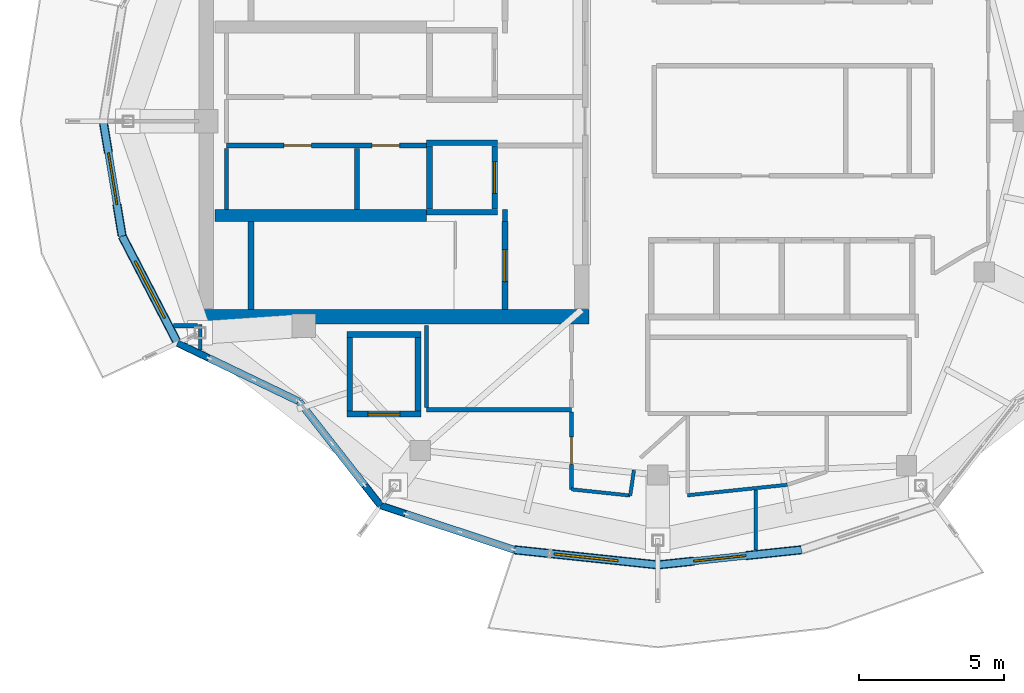
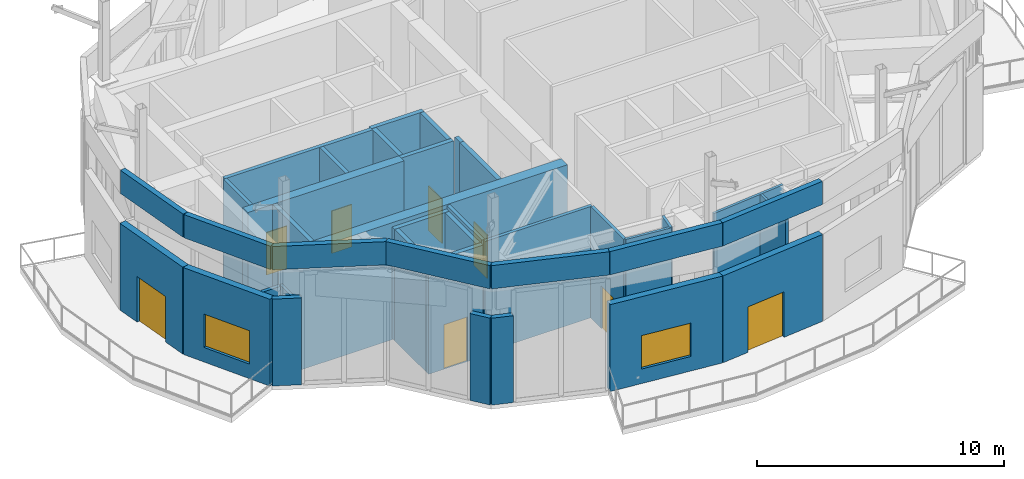
# One storey, part 8 of 13: 39 walls, 8 doors, 2 windows, 10 openings.
"""IFC4 building model written with IfcOpenShell, lengths in metres."""

from ifc_helpers import new_model, si_unit, direction, frame, frame_2d, origin, place, context, subcontext, project, spatial, rectangle, extrude, material, layer, layer_set, type_object, element, fill, save


model = new_model("IFC4")

# Units and contexts
model_context = context("Model", 3, precision=1e-05, world=origin(), true_north=direction((0.0, 1.0)))
body_context = subcontext(model_context, "Body", "Model", "MODEL_VIEW")
ifc_project = project(units=[si_unit("LENGTHUNIT", "METRE"), si_unit("AREAUNIT", "SQUARE_METRE"), si_unit("VOLUMEUNIT", "CUBIC_METRE"), si_unit("PLANEANGLEUNIT", "RADIAN"), si_unit("MASSUNIT", "GRAM", prefix="KILO")], contexts=[model_context])

# Site, building, storey
site_placement = place(None, origin())
site = spatial("IfcSite", under=ifc_project, at=site_placement, CompositionType="ELEMENT")
building_placement = place(site_placement, origin())
building = spatial("IfcBuilding", under=site, at=building_placement, Name="Kolvaren Gate Tower and Convention Centre", CompositionType="ELEMENT")
storey_placement = place(building_placement, frame((0.0, 0.0, 281.60009765625)))
storey = spatial("IfcBuildingStorey", under=building, at=storey_placement, Name="L76", CompositionType="ELEMENT", Elevation=281.60009765625)

# Wall
ifc_material_1 = material(Name="Autoclaved Aerated Masonry Blockwork Class 4 (4.0 MPa)", Category="masonry")
ifc_layer_1 = layer(ifc_material_1, 0.179931640625)
ifc_layer_set_1 = layer_set([ifc_layer_1], Name="Autoclaved Aerated Masonry Blockwork Class 4 (4.0 MPa)")
wall_type_1 = type_object("IfcWallType", Name="ARCH-WL-COMP-180", PredefinedType="SOLIDWALL", material=ifc_layer_set_1)
wall_1_placement = place(storey_placement, frame((24.85009765625, 23.5400390625, 0.0), z_axis=(0.0, 0.0, 1.0), x_axis=(0.0, 1.0, 0.0)))
element("IfcWall", 1, at=wall_1_placement, inside=storey, type_object=wall_type_1, Name="Interior Partition WL-L76-INT-001", PredefinedType="SOLIDWALL", context=body_context, shape_type="SweptSolid", body=[
    extrude(rectangle(XDim=0.419921875, YDim=0.179931640625, at=frame_2d((0.2099609375, 0.0))), origin(), (0.0, 0.0, 1.0), 5.5),
])

# Wall, openings, doors
wall_2_placement = place(storey_placement, frame((15.25, 26.159912109375, 0.0), z_axis=(0.0, 0.0, 1.0), x_axis=(1.0, 0.0, 0.0)))
wall_2 = element("IfcWall", 2, at=wall_2_placement, inside=storey, type_object=wall_type_1, Name="Interior Partition WL-L76-INT-005", PredefinedType="SOLIDWALL", context=body_context, shape_type="SweptSolid", body=[
    extrude(rectangle(XDim=6.89990234375, YDim=0.179931640625, at=frame_2d((3.449951171875, 0.0))), origin(), (0.0, 0.0, 1.0), 5.5),
])
opening_1_placement = place(wall_2_placement, frame((5.02001953125, 0.0, 0.0)))
opening_1 = element("IfcOpeningElement", 3, at=opening_1_placement, cuts=wall_2, Name="Opening DR-01", PredefinedType="OPENING", context=body_context, shape_type="SweptSolid", body=[
    extrude(rectangle(XDim=0.949951171875, YDim=2.10009765625, at=frame_2d((0.47509765625, 1.050048828125))), frame((0.0, 0.099853515625, 0.0), z_axis=(0.0, -1.0, 0.0), x_axis=(1.0, 0.0, 0.0)), (0.0, 0.0, 1.0), 0.199951171875),
])
opening_2_placement = place(wall_2_placement, frame((1.97998046875, 0.0, 0.0)))
opening_2 = element("IfcOpeningElement", 4, at=opening_2_placement, cuts=wall_2, Name="Opening DR-01", PredefinedType="OPENING", context=body_context, shape_type="SweptSolid", body=[
    extrude(rectangle(XDim=0.949951171875, YDim=2.10009765625, at=frame_2d((0.47509765625, 1.050048828125))), frame((0.0, 0.099853515625, 0.0), z_axis=(0.0, -1.0, 0.0), x_axis=(1.0, 0.0, 0.0)), (0.0, 0.0, 1.0), 0.199951171875),
])
ifc_material_2 = material(Name="Painted Architectural Steelwork ASTM A500 Grade C 345 MPa", Category="steel")
door_type_1 = type_object("IfcDoorType", Name="ARCH-DR-RISER-950", OperationType="SINGLE_SWING_RIGHT", PredefinedType="DOOR", material=ifc_material_2)
door_1_placement = place(opening_1_placement, origin())
door_1 = element("IfcDoor", 5, at=door_1_placement, inside=storey, type_object=door_type_1, Name="Domestic Water Meter Closet Door", OperationType="SINGLE_SWING_LEFT", OverallHeight=2.10009765625, OverallWidth=0.949951171875, PredefinedType="DOOR", context=body_context, shape_type="SweptSolid", body=[
    extrude(rectangle(XDim=0.949951171875, YDim=2.10009765625, at=frame_2d((0.47509765625, 1.050048828125))), frame((0.0, 0.02490234375, 0.0), z_axis=(0.0, -1.0, 0.0), x_axis=(1.0, 0.0, 0.0)), (0.0, 0.0, 1.0), 0.050048828125),
])
fill(opening_1, door_1)
door_2_placement = place(opening_2_placement, origin())
door_2 = element("IfcDoor", 6, at=door_2_placement, inside=storey, type_object=door_type_1, Name="Janitor Equipment Store Door", OperationType="SINGLE_SWING_LEFT", OverallHeight=2.10009765625, OverallWidth=0.949951171875, PredefinedType="DOOR", context=body_context, shape_type="SweptSolid", body=[
    extrude(rectangle(XDim=0.949951171875, YDim=2.10009765625, at=frame_2d((0.47509765625, 1.050048828125))), frame((0.0, 0.02490234375, 0.0), z_axis=(0.0, -1.0, 0.0), x_axis=(1.0, 0.0, 0.0)), (0.0, 0.0, 1.0), 0.050048828125),
])
fill(opening_2, door_2)

# Walls
wall_3_placement = place(storey_placement, frame((19.75, 23.9619140625, 0.0), z_axis=(0.0, 0.0, 1.0), x_axis=(0.0, 1.0, 0.0)))
element("IfcWall", 7, at=wall_3_placement, inside=storey, type_object=wall_type_1, Name="Interior Partition WL-L76-INT-007", PredefinedType="SOLIDWALL", context=body_context, shape_type="SweptSolid", body=[
    extrude(rectangle(XDim=2.106201171875, YDim=0.179931640625, at=frame_2d((1.05322265625, 0.0))), origin(), (0.0, 0.0, 1.0), 5.5),
])
ifc_material_3 = material(Name="Piedmont Cream Honed Limestone Cladding", Category="masonry")
ifc_layer_2 = layer(ifc_material_3, 0.25)
ifc_layer_set_2 = layer_set([ifc_layer_2], Name="Piedmont Cream Honed Limestone Cladding")
wall_type_2 = type_object("IfcWallType", Name="ARCH-WL-PARAPET-250", PredefinedType="PARAPET", material=ifc_layer_set_2)
wall_4_placement = place(storey_placement, frame((11.0, 27.0, 5.75), z_axis=(0.0, 0.0, 1.0), x_axis=(0.162366447696, -0.9867305289, 0.0)))
element("IfcWall", 8, at=wall_4_placement, inside=storey, type_object=wall_type_2, Name="Observation Roof Core-Cap Stone Parapet CPW-13", PredefinedType="PARAPET", context=body_context, shape_type="SweptSolid", body=[
    extrude(rectangle(XDim=4.01318359375, YDim=0.25, at=frame_2d((2.006591796875, 0.0))), origin(), (0.0, 0.0, 1.0), 1.14990234375),
])
wall_5_placement = place(storey_placement, frame((11.651611328125, 23.0400390625, 5.75), z_axis=(0.0, 0.0, 1.0), x_axis=(0.459812881143, -0.888015830002, 0.0)))
element("IfcWall", 9, at=wall_5_placement, inside=storey, type_object=wall_type_2, Name="Observation Roof Core-Cap Stone Parapet CPW-14", PredefinedType="PARAPET", context=body_context, shape_type="SweptSolid", body=[
    extrude(rectangle(XDim=4.1552734375, YDim=0.25, at=frame_2d((2.07763671875, 0.0))), origin(), (0.0, 0.0, 1.0), 1.14990234375),
])
wall_6_placement = place(storey_placement, frame((13.562255859375, 19.35009765625, 5.75), z_axis=(0.0, 0.0, 1.0), x_axis=(0.901348560632, -0.433094414933, 0.0)))
element("IfcWall", 10, at=wall_6_placement, inside=storey, type_object=wall_type_2, Name="Observation Roof Core-Cap Stone Parapet CPW-15", PredefinedType="PARAPET", context=body_context, shape_type="SweptSolid", body=[
    extrude(rectangle(XDim=4.65234375, YDim=0.25, at=frame_2d((2.326171875, 0.0))), origin(), (0.0, 0.0, 1.0), 1.14990234375),
])
wall_7_placement = place(storey_placement, frame((17.755615234375, 17.335205078125, 5.75), z_axis=(0.0, 0.0, 1.0), x_axis=(0.616428247224, -0.78741108452, 0.0)))
element("IfcWall", 11, at=wall_7_placement, inside=storey, type_object=wall_type_2, Name="Observation Roof Core-Cap Stone Parapet CPW-16", PredefinedType="PARAPET", context=body_context, shape_type="SweptSolid", body=[
    extrude(rectangle(XDim=4.553466796875, YDim=0.25, at=frame_2d((2.27685546875, 0.0))), origin(), (0.0, 0.0, 1.0), 1.14990234375),
])
wall_8_placement = place(storey_placement, frame((20.5625, 13.749755859375, 5.75), z_axis=(0.0, 0.0, 1.0), x_axis=(0.949234518432, -0.314569275388, 0.0)))
element("IfcWall", 12, at=wall_8_placement, inside=storey, type_object=wall_type_2, Name="Observation Roof Core-Cap Stone Parapet CPW-17", PredefinedType="PARAPET", context=body_context, shape_type="SweptSolid", body=[
    extrude(rectangle(XDim=4.859130859375, YDim=0.25, at=frame_2d((2.4296875, 0.0))), origin(), (0.0, 0.0, 1.0), 1.14990234375),
])
for number, where, z_axis, x_axis, name in (
    (13, (25.175048828125, 12.22119140625, 5.75), (0.0, 0.0, 1.0), (0.994501420626, -0.104723084243, 0.0), "Observation Roof Core-Cap Stone Parapet CPW-18"),
    (14, (30.125, 11.699951171875, 5.75), (0.0, 0.0, 1.0), (0.994501420626, 0.104723084243, 0.0), "Observation Roof Core-Cap Stone Parapet CPW-19"),
):
    element("IfcWall", number, at=place(storey_placement, frame(where, z_axis=z_axis, x_axis=x_axis)), inside=storey, type_object=wall_type_2, Name=name, PredefinedType="PARAPET", context=body_context, shape_type="SweptSolid", body=[
        extrude(rectangle(XDim=4.977294921875, YDim=0.25, at=frame_2d((2.48876953125, 0.0))), origin(), (0.0, 0.0, 1.0), 1.14990234375),
    ])
ifc_material_4 = material(Name="Fire-Rated Acoustic Gypsum Stud Partition", Category="gypsum")
ifc_layer_3 = layer(ifc_material_4, 0.1201171875)
ifc_layer_set_3 = layer_set([ifc_layer_3], Name="Fire-Rated Acoustic Gypsum Stud Partition")
wall_type_3 = type_object("IfcWallType", Name="ARCH-WL-PART-120", PredefinedType="PARTITIONING", material=ifc_layer_set_3)
wall_9_placement = place(storey_placement, frame((31.14990234375, 14.10107421875, 0.0), z_axis=(0.0, 0.0, 1.0), x_axis=(0.994517817825, 0.104567251225, 0.0)))
element("IfcWall", 15, at=wall_9_placement, inside=storey, type_object=wall_type_3, Name="Interior Partition WL-L76-INT-049", PredefinedType="PARTITIONING", context=body_context, shape_type="SweptSolid", body=[
    extrude(rectangle(XDim=3.460205078125, YDim=0.1201171875, at=frame_2d((1.72998046875, 0.0))), origin(), (0.0, 0.0, 1.0), 5.5),
])
wall_10_placement = place(storey_placement, frame((29.172119140625, 14.093017578125, 0.0), z_axis=(0.0, 0.0, 1.0), x_axis=(0.146387891488, 0.989227266722, 0.0)))
element("IfcWall", 16, at=wall_10_placement, inside=storey, type_object=wall_type_3, Name="Interior Partition WL-L76-INT-052", PredefinedType="PARTITIONING", context=body_context, shape_type="SweptSolid", body=[
    extrude(rectangle(XDim=0.880615234375, YDim=0.1201171875, at=frame_2d((0.4404296875, 0.0))), origin(), (0.0, 0.0, 1.0), 5.5),
])
wall_11_placement = place(storey_placement, frame((27.14990234375, 14.305908203125, 0.0), z_axis=(0.0, 0.0, 1.0), x_axis=(0.994504137054, -0.1046972845, 0.0)))
element("IfcWall", 17, at=wall_11_placement, inside=storey, type_object=wall_type_3, Name="Interior Partition WL-L76-INT-053", PredefinedType="PARTITIONING", context=body_context, shape_type="SweptSolid", body=[
    extrude(rectangle(XDim=2.033447265625, YDim=0.1201171875, at=frame_2d((1.0166015625, 0.0))), origin(), (0.0, 0.0, 1.0), 5.5),
])
wall_12_placement = place(storey_placement, frame((33.5, 12.208251953125, 0.0), z_axis=(0.0, 0.0, 1.0), x_axis=(0.0, 1.0, 0.0)))
element("IfcWall", 18, at=wall_12_placement, inside=storey, type_object=wall_type_3, Name="Interior Partition WL-L76-INT-054", PredefinedType="PARTITIONING", context=body_context, shape_type="SweptSolid", body=[
    extrude(rectangle(XDim=2.07763671875, YDim=0.1201171875, at=frame_2d((1.038818359375, 0.0))), origin(), (0.0, 0.0, 1.0), 5.5),
])
wall_13_placement = place(storey_placement, frame((14.35009765625, 19.1123046875, 0.0), z_axis=(0.0, 0.0, 1.0), x_axis=(0.0, 1.0, 0.0)))
element("IfcWall", 19, at=wall_13_placement, inside=storey, type_object=wall_type_3, Name="Interior Partition WL-L76-INT-058", PredefinedType="PARTITIONING", context=body_context, shape_type="SweptSolid", body=[
    extrude(rectangle(XDim=0.8857421875, YDim=0.1201171875, at=frame_2d((0.44287109375, 0.0))), origin(), (0.0, 0.0, 1.0), 4.2919921875),
])
ifc_material_5 = material(Name="Bogota Sabana Bush-Hammered Sandstone Cladding", Category="masonry")
ifc_layer_4 = layer(ifc_material_5, 0.219970703125)
ifc_layer_set_4 = layer_set([ifc_layer_4], Name="Bogota Sabana Bush-Hammered Sandstone Cladding")
wall_type_4 = type_object("IfcWallType", Name="ARCH-WL-PIER-220", PredefinedType="SOLIDWALL", material=ifc_layer_set_4)
wall_14_placement = place(storey_placement, frame((13.562255859375, 19.35009765625, 0.0), z_axis=(0.0, 0.0, 1.0), x_axis=(0.901264843027, -0.433268603437, 0.0)))
element("IfcWall", 20, at=wall_14_placement, inside=storey, type_object=wall_type_4, Name="L76 Panoramic Structural Curtain Wall CW-14 Left Column Pier Wrap", PredefinedType="SOLIDWALL", context=body_context, shape_type="SweptSolid", body=[
    extrude(rectangle(XDim=1.18115234375, YDim=0.219970703125, at=frame_2d((0.590576171875, 0.0))), origin(), (0.0, 0.0, 1.0), 4.2919921875),
])
wall_15_placement = place(storey_placement, frame((20.022216796875, 14.43994140625, 0.0), z_axis=(0.0, 0.0, 1.0), x_axis=(0.61640589237, -0.787428584604, 0.0)))
element("IfcWall", 21, at=wall_15_placement, inside=storey, type_object=wall_type_4, Name="L76 Panoramic Structural Curtain Wall CW-15 Right Column Pier Wrap", PredefinedType="SOLIDWALL", context=body_context, shape_type="SweptSolid", body=[
    extrude(rectangle(XDim=0.87646484375, YDim=0.219970703125, at=frame_2d((0.438232421875, 0.0))), origin(), (0.0, 0.0, 1.0), 4.2919921875),
])
wall_16_placement = place(storey_placement, frame((20.5625, 13.749755859375, 0.0), z_axis=(0.0, 0.0, 1.0), x_axis=(0.949254567626, -0.314508769101, 0.0)))
element("IfcWall", 22, at=wall_16_placement, inside=storey, type_object=wall_type_4, Name="L76 Panoramic Structural Curtain Wall CW-16 Left Column Pier Wrap", PredefinedType="SOLIDWALL", context=body_context, shape_type="SweptSolid", body=[
    extrude(rectangle(XDim=0.89501953125, YDim=0.219970703125, at=frame_2d((0.447509765625, 0.0))), origin(), (0.0, 0.0, 1.0), 4.2919921875),
])
ifc_layer_5 = layer(ifc_material_1, 0.199951171875)
ifc_layer_set_5 = layer_set([ifc_layer_5], Name="Autoclaved Aerated Masonry Blockwork Class 4 (4.0 MPa)")
wall_type_5 = type_object("IfcWallType", Name="ARCH-WL-SHAFT-200", PredefinedType="SOLIDWALL", material=ifc_layer_set_5)
for number, where, z_axis, x_axis, name in (
    (23, (22.14990234375, 26.260009765625, 0.0), (0.0, 0.0, 1.0), (1.0, 0.0, 0.0), "Elevator FF-02 L76 Fire Shaft Wall N"),
    (24, (22.14990234375, 23.860107421875, 0.0), (0.0, 0.0, 1.0), (1.0, 0.0, 0.0), "Elevator FF-02 L76 Fire Shaft Wall S"),
):
    element("IfcWall", number, at=place(storey_placement, frame(where, z_axis=z_axis, x_axis=x_axis)), inside=storey, type_object=wall_type_5, Name=name, PredefinedType="SOLIDWALL", context=body_context, shape_type="SweptSolid", body=[
        extrude(rectangle(XDim=2.4501953125, YDim=0.199951171875, at=frame_2d((1.22509765625, 0.0))), origin(), (0.0, 0.0, 1.0), 5.5),
    ])
wall_17_placement = place(storey_placement, frame((22.25, 23.969970703125, 0.0), z_axis=(0.0, 0.0, 1.0), x_axis=(0.0, 1.0, 0.0)))
element("IfcWall", 25, at=wall_17_placement, inside=storey, type_object=wall_type_5, Name="Elevator FF-02 L76 Fire Shaft Wall W", PredefinedType="SOLIDWALL", context=body_context, shape_type="SweptSolid", body=[
    extrude(rectangle(XDim=2.179931640625, YDim=0.199951171875, at=frame_2d((1.08984375, 0.0))), origin(), (0.0, 0.0, 1.0), 5.5),
])

# Wall, opening, door
wall_18_placement = place(storey_placement, frame((24.5, 23.969970703125, 0.0), z_axis=(0.0, 0.0, 1.0), x_axis=(0.0, 1.0, 0.0)))
wall_18 = element("IfcWall", 26, at=wall_18_placement, inside=storey, type_object=wall_type_5, Name="Elevator FF-02 L76 Fire Shaft Wall E", PredefinedType="SOLIDWALL", context=body_context, shape_type="SweptSolid", body=[
    extrude(rectangle(XDim=2.179931640625, YDim=0.199951171875, at=frame_2d((1.08984375, 0.0))), origin(), (0.0, 0.0, 1.0), 5.5),
])
opening_3_placement = place(wall_18_placement, frame((0.5400390625, 0.0, 0.0)))
opening_3 = element("IfcOpeningElement", 27, at=opening_3_placement, cuts=wall_18, Name="Opening LD", PredefinedType="OPENING", context=body_context, shape_type="SweptSolid", body=[
    extrude(rectangle(XDim=1.10009765625, YDim=2.199951171875, at=frame_2d((0.550048828125, 1.10009765625))), frame((0.0, 0.10986328125, 0.0), z_axis=(0.0, -1.0, 0.0), x_axis=(1.0, 0.0, 0.0)), (0.0, 0.0, 1.0), 0.219970703125),
])
ifc_material_6 = material(Name="Brushed Stainless Steel Grade 316L", Category="steel")
door_type_2 = type_object("IfcDoorType", Name="ARCH-DR-LIFT-1100", OperationType="SLIDING_TO_LEFT", PredefinedType="DOOR", material=ifc_material_6)
door_3_placement = place(opening_3_placement, origin())
door_3 = element("IfcDoor", 28, at=door_3_placement, inside=storey, type_object=door_type_2, Name="Elevator FF-02 L76 Sliding Landing Door", OperationType="SLIDING_TO_LEFT", OverallHeight=2.199951171875, OverallWidth=1.10009765625, PredefinedType="DOOR", context=body_context, shape_type="SweptSolid", body=[
    extrude(rectangle(XDim=1.10009765625, YDim=2.199951171875, at=frame_2d((0.550048828125, 1.10009765625))), frame((0.0, 0.02490234375, 0.0), z_axis=(0.0, -1.0, 0.0), x_axis=(1.0, 0.0, 0.0)), (0.0, 0.0, 1.0), 0.050048828125),
])
fill(opening_3, door_3)

# Wall
wall_19_placement = place(storey_placement, frame((19.39990234375, 19.64990234375, 0.0), z_axis=(0.0, 0.0, 1.0), x_axis=(1.0, 0.0, 0.0)))
element("IfcWall", 29, at=wall_19_placement, inside=storey, type_object=wall_type_5, Name="Elevator SV-01 L76 Fire Shaft Wall N", PredefinedType="SOLIDWALL", context=body_context, shape_type="SweptSolid", body=[
    extrude(rectangle(XDim=2.550048828125, YDim=0.199951171875, at=frame_2d((1.27490234375, 0.0))), origin(), (0.0, 0.0, 1.0), 5.5),
])

# Wall, opening, door
wall_20_placement = place(storey_placement, frame((19.39990234375, 16.89990234375, 0.0), z_axis=(0.0, 0.0, 1.0), x_axis=(1.0, 0.0, 0.0)))
wall_20 = element("IfcWall", 30, at=wall_20_placement, inside=storey, type_object=wall_type_5, Name="Elevator SV-01 L76 Fire Shaft Wall S", PredefinedType="SOLIDWALL", context=body_context, shape_type="SweptSolid", body=[
    extrude(rectangle(XDim=2.550048828125, YDim=0.199951171875, at=frame_2d((1.27490234375, 0.0))), origin(), (0.0, 0.0, 1.0), 5.5),
])
opening_4_placement = place(wall_20_placement, frame((0.72509765625, 0.0, 0.0)))
opening_4 = element("IfcOpeningElement", 31, at=opening_4_placement, cuts=wall_20, Name="Opening LD", PredefinedType="OPENING", context=body_context, shape_type="SweptSolid", body=[
    extrude(rectangle(XDim=1.10009765625, YDim=2.199951171875, at=frame_2d((0.550048828125, 1.10009765625))), frame((0.0, 0.10986328125, 0.0), z_axis=(0.0, -1.0, 0.0), x_axis=(1.0, 0.0, 0.0)), (0.0, 0.0, 1.0), 0.219970703125),
])
door_4_placement = place(opening_4_placement, origin())
door_4 = element("IfcDoor", 32, at=door_4_placement, inside=storey, type_object=door_type_2, Name="Elevator SV-01 L76 Sliding Landing Door", OperationType="SLIDING_TO_LEFT", OverallHeight=2.199951171875, OverallWidth=1.10009765625, PredefinedType="DOOR", context=body_context, shape_type="SweptSolid", body=[
    extrude(rectangle(XDim=1.10009765625, YDim=2.199951171875, at=frame_2d((0.550048828125, 1.10009765625))), frame((0.0, 0.02490234375, 0.0), z_axis=(0.0, -1.0, 0.0), x_axis=(1.0, 0.0, 0.0)), (0.0, 0.0, 1.0), 0.050048828125),
])
fill(opening_4, door_4)

# Walls
for number, where, z_axis, x_axis, name in (
    (33, (19.5, 17.010009765625, 0.0), (0.0, 0.0, 1.0), (0.0, 1.0, 0.0), "Elevator SV-01 L76 Fire Shaft Wall W"),
    (34, (21.85009765625, 17.010009765625, 0.0), (0.0, 0.0, 1.0), (0.0, 1.0, 0.0), "Elevator SV-01 L76 Fire Shaft Wall E"),
):
    element("IfcWall", number, at=place(storey_placement, frame(where, z_axis=z_axis, x_axis=x_axis)), inside=storey, type_object=wall_type_5, Name=name, PredefinedType="SOLIDWALL", context=body_context, shape_type="SweptSolid", body=[
        extrude(rectangle(XDim=2.530029296875, YDim=0.199951171875, at=frame_2d((1.26513671875, 0.0))), origin(), (0.0, 0.0, 1.0), 5.5),
    ])

# Wall, opening, door
ifc_layer_6 = layer(ifc_material_3, 0.300048828125)
ifc_layer_set_6 = layer_set([ifc_layer_6], Name="Piedmont Cream Honed Limestone Cladding")
wall_type_6 = type_object("IfcWallType", Name="ARCH-WL-STONE-300", PredefinedType="SOLIDWALL", material=ifc_layer_set_6)
wall_21_placement = place(storey_placement, frame((11.0, 27.0, 0.0), z_axis=(0.0, 0.0, 1.0), x_axis=(0.162366447696, -0.9867305289, 0.0)))
wall_21 = element("IfcWall", 35, at=wall_21_placement, inside=storey, type_object=wall_type_6, Name="Tower L76 Honed Stone Spandrel Wall EW-12", PredefinedType="SOLIDWALL", context=body_context, shape_type="SweptSolid", body=[
    extrude(rectangle(XDim=4.01318359375, YDim=0.300048828125, at=frame_2d((2.006591796875, 0.0))), origin(), (0.0, 0.0, 1.0), 4.2919921875),
])
opening_5_placement = place(wall_21_placement, frame((1.10693359375, 0.0, 0.0)))
opening_5 = element("IfcOpeningElement", 36, at=opening_5_placement, cuts=wall_21, Name="Opening DB-01", PredefinedType="OPENING", context=body_context, shape_type="SweptSolid", body=[
    extrude(rectangle(XDim=1.800048828125, YDim=2.25, at=frame_2d((0.89990234375, 1.125))), frame((0.0, 0.159912109375, 0.0), z_axis=(0.0, -1.0, 0.0), x_axis=(1.0, 0.0, 0.0)), (0.0, 0.0, 1.0), 0.320068359375),
])
ifc_material_7 = material(Name="Anodized Architectural Aluminium Alloy 6063-T6", Category="aluminium")
door_type_3 = type_object("IfcDoorType", Name="ARCH-DR-BALC-1800", OperationType="SLIDING_TO_LEFT", PredefinedType="DOOR", material=ifc_material_7)
door_5_placement = place(opening_5_placement, frame((1.800048828125, 0.0, 0.0), z_axis=(0.0, 0.0, 1.0), x_axis=(-1.0, 0.0, 0.0)))
door_5 = element("IfcDoor", 37, at=door_5_placement, inside=storey, type_object=door_type_3, Name="Planted Sky Terrace Access Door DB-L76-12", OperationType="SLIDING_TO_LEFT", OverallHeight=2.25, OverallWidth=1.800048828125, PredefinedType="DOOR", context=body_context, shape_type="SweptSolid", body=[
    extrude(rectangle(XDim=1.800048828125, YDim=2.25, at=frame_2d((0.89990234375, 1.125))), frame((0.0, 0.02490234375, 0.0), z_axis=(0.0, -1.0, 0.0), x_axis=(1.0, 0.0, 0.0)), (0.0, 0.0, 1.0), 0.050048828125),
])
fill(opening_5, door_5)

# Wall, opening, window
wall_22_placement = place(storey_placement, frame((11.651611328125, 23.0400390625, 0.0), z_axis=(0.0, 0.0, 1.0), x_axis=(0.459812881143, -0.888015830002, 0.0)))
wall_22 = element("IfcWall", 38, at=wall_22_placement, inside=storey, type_object=wall_type_6, Name="Tower L76 Honed Stone Spandrel Wall EW-13", PredefinedType="SOLIDWALL", context=body_context, shape_type="SweptSolid", body=[
    extrude(rectangle(XDim=4.1552734375, YDim=0.300048828125, at=frame_2d((2.07763671875, 0.0))), origin(), (0.0, 0.0, 1.0), 4.2919921875),
])
opening_6_placement = place(wall_22_placement, frame((0.97802734375, 0.0, 0.719970703125)))
opening_6 = element("IfcOpeningElement", 39, at=opening_6_placement, cuts=wall_22, Name="Opening W-03", PredefinedType="OPENING", context=body_context, shape_type="SweptSolid", body=[
    extrude(rectangle(XDim=2.199951171875, YDim=1.64990234375, at=frame_2d((1.10009765625, 0.824951171875))), frame((0.0, 0.159912109375, 0.0), z_axis=(0.0, -1.0, 0.0), x_axis=(1.0, 0.0, 0.0)), (0.0, 0.0, 1.0), 0.320068359375),
])
ifc_material_8 = material(Name="Low-E Triple Insulated Glazing Unit 44 mm", Category="glass")
window_type = type_object("IfcWindowType", Name="ARCH-WN-RES-2200", PartitioningType="SINGLE_PANEL", PredefinedType="WINDOW", material=ifc_material_8)
window_1_placement = place(opening_6_placement, origin())
window_1 = element("IfcWindow", 40, at=window_1_placement, inside=storey, type_object=window_type, Name="Tower L76 Punched Stone Facade Window W-13", OverallHeight=1.64990234375, OverallWidth=2.199951171875, PartitioningType="SINGLE_PANEL", PredefinedType="WINDOW", context=body_context, shape_type="SweptSolid", body=[
    extrude(rectangle(XDim=2.199951171875, YDim=1.64990234375, at=frame_2d((1.10009765625, 0.824951171875))), frame((0.0, 0.030029296875, 0.0), z_axis=(0.0, -1.0, 0.0), x_axis=(1.0, 0.0, 0.0)), (0.0, 0.0, 1.0), 0.06005859375),
])
fill(opening_6, window_1)

wall_23_placement = place(storey_placement, frame((25.175048828125, 12.22119140625, 0.0), z_axis=(0.0, 0.0, 1.0), x_axis=(0.994501420626, -0.104723084243, 0.0)))
wall_23 = element("IfcWall", 41, at=wall_23_placement, inside=storey, type_object=wall_type_6, Name="Tower L76 Honed Stone Spandrel Wall EW-17", PredefinedType="SOLIDWALL", context=body_context, shape_type="SweptSolid", body=[
    extrude(rectangle(XDim=4.977294921875, YDim=0.300048828125, at=frame_2d((2.48876953125, 0.0))), origin(), (0.0, 0.0, 1.0), 4.2919921875),
])
opening_7_placement = place(wall_23_placement, frame((1.388916015625, 0.0, 0.719970703125)))
opening_7 = element("IfcOpeningElement", 42, at=opening_7_placement, cuts=wall_23, Name="Opening W-03", PredefinedType="OPENING", context=body_context, shape_type="SweptSolid", body=[
    extrude(rectangle(XDim=2.199951171875, YDim=1.64990234375, at=frame_2d((1.10009765625, 0.824951171875))), frame((0.0, 0.159912109375, 0.0), z_axis=(0.0, -1.0, 0.0), x_axis=(1.0, 0.0, 0.0)), (0.0, 0.0, 1.0), 0.320068359375),
])
window_2_placement = place(opening_7_placement, origin())
window_2 = element("IfcWindow", 43, at=window_2_placement, inside=storey, type_object=window_type, Name="Tower L76 Punched Stone Facade Window W-17", OverallHeight=1.64990234375, OverallWidth=2.199951171875, PartitioningType="SINGLE_PANEL", PredefinedType="WINDOW", context=body_context, shape_type="SweptSolid", body=[
    extrude(rectangle(XDim=2.199951171875, YDim=1.64990234375, at=frame_2d((1.10009765625, 0.824951171875))), frame((0.0, 0.030029296875, 0.0), z_axis=(0.0, -1.0, 0.0), x_axis=(1.0, 0.0, 0.0)), (0.0, 0.0, 1.0), 0.06005859375),
])
fill(opening_7, window_2)

# Wall, opening, door
wall_24_placement = place(storey_placement, frame((30.125, 11.699951171875, 0.0), z_axis=(0.0, 0.0, 1.0), x_axis=(0.994501420626, 0.104723084243, 0.0)))
wall_24 = element("IfcWall", 44, at=wall_24_placement, inside=storey, type_object=wall_type_6, Name="Tower L76 Honed Stone Spandrel Wall EW-18", PredefinedType="SOLIDWALL", context=body_context, shape_type="SweptSolid", body=[
    extrude(rectangle(XDim=4.977294921875, YDim=0.300048828125, at=frame_2d((2.48876953125, 0.0))), origin(), (0.0, 0.0, 1.0), 4.2919921875),
])
opening_8_placement = place(wall_24_placement, frame((1.25, 0.0, 0.0)))
opening_8 = element("IfcOpeningElement", 45, at=opening_8_placement, cuts=wall_24, Name="Opening DB-01", PredefinedType="OPENING", context=body_context, shape_type="SweptSolid", body=[
    extrude(rectangle(XDim=1.800048828125, YDim=2.25, at=frame_2d((0.89990234375, 1.125))), frame((0.0, 0.159912109375, 0.0), z_axis=(0.0, -1.0, 0.0), x_axis=(1.0, 0.0, 0.0)), (0.0, 0.0, 1.0), 0.320068359375),
])
door_6_placement = place(opening_8_placement, frame((1.800048828125, 0.0, 0.0), z_axis=(0.0, 0.0, 1.0), x_axis=(-1.0, 0.0, 0.0)))
door_6 = element("IfcDoor", 46, at=door_6_placement, inside=storey, type_object=door_type_3, Name="Planted Sky Terrace Access Door DB-L76-18", OperationType="SLIDING_TO_LEFT", OverallHeight=2.25, OverallWidth=1.800048828125, PredefinedType="DOOR", context=body_context, shape_type="SweptSolid", body=[
    extrude(rectangle(XDim=1.800048828125, YDim=2.25, at=frame_2d((0.89990234375, 1.125))), frame((0.0, 0.02490234375, 0.0), z_axis=(0.0, -1.0, 0.0), x_axis=(1.0, 0.0, 0.0)), (0.0, 0.0, 1.0), 0.050048828125),
])
fill(opening_8, door_6)

# Walls
ifc_material_9 = material(Name="Moisture-Resistant Cement-Board Acoustic Partition", Category="gypsum")
ifc_layer_7 = layer(ifc_material_9, 0.14990234375)
ifc_layer_set_7 = layer_set([ifc_layer_7], Name="Moisture-Resistant Cement-Board Acoustic Partition")
wall_type_7 = type_object("IfcWallType", Name="ARCH-WL-WET-150", PredefinedType="PARTITIONING", material=ifc_layer_set_7)
wall_25_placement = place(storey_placement, frame((15.25, 23.9619140625, 0.0), z_axis=(0.0, 0.0, 1.0), x_axis=(0.0, 1.0, 0.0)))
element("IfcWall", 47, at=wall_25_placement, inside=storey, type_object=wall_type_7, Name="Interior Partition WL-L76-INT-006", PredefinedType="PARTITIONING", context=body_context, shape_type="SweptSolid", body=[
    extrude(rectangle(XDim=2.106201171875, YDim=0.14990234375, at=frame_2d((1.05322265625, 0.0))), origin(), (0.0, 0.0, 1.0), 5.5),
])
wall_26_placement = place(storey_placement, frame((22.14990234375, 17.050048828125, 0.0), z_axis=(0.0, 0.0, 1.0), x_axis=(1.0, 0.0, 0.0)))
element("IfcWall", 48, at=wall_26_placement, inside=storey, type_object=wall_type_7, Name="Interior Partition WL-L76-INT-009", PredefinedType="PARTITIONING", context=body_context, shape_type="SweptSolid", body=[
    extrude(rectangle(XDim=5.0, YDim=0.14990234375, at=frame_2d((2.5, 0.0))), origin(), (0.0, 0.0, 1.0), 5.5),
])
wall_27_placement = place(storey_placement, frame((22.14990234375, 17.126953125, 0.0), z_axis=(0.0, 0.0, 1.0), x_axis=(0.0, 1.0, 0.0)))
element("IfcWall", 49, at=wall_27_placement, inside=storey, type_object=wall_type_7, Name="Interior Partition WL-L76-INT-010", PredefinedType="PARTITIONING", context=body_context, shape_type="SweptSolid", body=[
    extrude(rectangle(XDim=2.822998046875, YDim=0.14990234375, at=frame_2d((1.41162109375, 0.0))), origin(), (0.0, 0.0, 1.0), 5.5),
])
wall_28_placement = place(storey_placement, frame((13.4228515625, 19.949951171875, 0.0), z_axis=(0.0, 0.0, 1.0), x_axis=(1.0, 0.0, 0.0)))
element("IfcWall", 50, at=wall_28_placement, inside=storey, type_object=wall_type_7, Name="Interior Partition WL-L76-INT-011", PredefinedType="PARTITIONING", context=body_context, shape_type="SweptSolid", body=[
    extrude(rectangle(XDim=0.8271484375, YDim=0.14990234375, at=frame_2d((0.41357421875, 0.0))), origin(), (0.0, 0.0, 1.0), 4.2919921875),
])

# Wall, opening, door
wall_29_placement = place(storey_placement, frame((27.14990234375, 14.305908203125, 0.0), z_axis=(0.0, 0.0, 1.0), x_axis=(0.0, 1.0, 0.0)))
wall_29 = element("IfcWall", 51, at=wall_29_placement, inside=storey, type_object=wall_type_7, Name="Interior Partition WL-L76-INT-012", PredefinedType="PARTITIONING", context=body_context, shape_type="SweptSolid", body=[
    extrude(rectangle(XDim=2.6669921875, YDim=0.14990234375, at=frame_2d((1.33349609375, 0.0))), origin(), (0.0, 0.0, 1.0), 5.5),
])
opening_9_placement = place(wall_29_placement, frame((0.8583984375, 0.0, 0.0)))
opening_9 = element("IfcOpeningElement", 52, at=opening_9_placement, cuts=wall_29, Name="Opening DR-01", PredefinedType="OPENING", context=body_context, shape_type="SweptSolid", body=[
    extrude(rectangle(XDim=0.949951171875, YDim=2.10009765625, at=frame_2d((0.47509765625, 1.050048828125))), frame((0.0, 0.0849609375, 0.0), z_axis=(0.0, -1.0, 0.0), x_axis=(1.0, 0.0, 0.0)), (0.0, 0.0, 1.0), 0.169921875),
])
door_7_placement = place(opening_9_placement, origin())
door_7 = element("IfcDoor", 53, at=door_7_placement, inside=storey, type_object=door_type_1, Name="Sabana North Horizon Cinema Door", OperationType="SINGLE_SWING_LEFT", OverallHeight=2.10009765625, OverallWidth=0.949951171875, PredefinedType="DOOR", context=body_context, shape_type="SweptSolid", body=[
    extrude(rectangle(XDim=0.949951171875, YDim=2.10009765625, at=frame_2d((0.47509765625, 1.050048828125))), frame((0.0, 0.02490234375, 0.0), z_axis=(0.0, -1.0, 0.0), x_axis=(1.0, 0.0, 0.0)), (0.0, 0.0, 1.0), 0.050048828125),
])
fill(opening_9, door_7)

# Walls
ifc_material_10 = material(Name="Concrete C50/60", Category="concrete")
ifc_layer_8 = layer(ifc_material_10, 0.419921875)
ifc_layer_set_8 = layer_set([ifc_layer_8], Name="Concrete C50/60")
wall_type_8 = type_object("IfcWallType", Name="STR-WL-CONV-420", PredefinedType="SHEAR", material=ifc_layer_set_8)
wall_30_placement = place(storey_placement, frame((14.85009765625, 23.75, -0.280029296875), z_axis=(0.0, 0.0, 1.0), x_axis=(1.0, 0.0, 0.0)))
element("IfcWall", 54, at=wall_30_placement, inside=storey, type_object=wall_type_8, Name="Tower L76 Offset Core Shear Wall WS", PredefinedType="SHEAR", context=body_context, shape_type="SweptSolid", body=[
    extrude(rectangle(XDim=7.2998046875, YDim=0.419921875, at=frame_2d((3.64990234375, 0.0))), origin(), (0.0, 0.0, 1.0), 5.780029296875),
])
ifc_layer_9 = layer(ifc_material_10, 0.5)
ifc_layer_set_9 = layer_set([ifc_layer_9], Name="Concrete C50/60")
wall_type_9 = type_object("IfcWallType", Name="STR-WL-CORE-500", PredefinedType="SHEAR", material=ifc_layer_set_9)
wall_31_placement = place(storey_placement, frame((14.25, 20.25, -0.280029296875), z_axis=(0.0, 0.0, 1.0), x_axis=(1.0, 0.0, 0.0)))
element("IfcWall", 55, at=wall_31_placement, inside=storey, type_object=wall_type_9, Name="Tower L76 Offset Core Shear Wall S", PredefinedType="SHEAR", context=body_context, shape_type="SweptSolid", body=[
    extrude(rectangle(XDim=13.5, YDim=0.5, at=frame_2d((6.75, 0.0))), origin(), (0.0, 0.0, 1.0), 5.780029296875),
])

# Wall, opening, door
ifc_layer_10 = layer(ifc_material_10, 0.199951171875)
ifc_layer_set_10 = layer_set([ifc_layer_10], Name="Concrete C50/60")
wall_type_10 = type_object("IfcWallType", Name="STR-WL-SHAFT-200", PredefinedType="SHEAR", material=ifc_layer_set_10)
wall_32_placement = place(storey_placement, frame((24.85009765625, 20.501953125, -0.280029296875), z_axis=(0.0, 0.0, 1.0), x_axis=(0.0, 1.0, 0.0)))
wall_32 = element("IfcWall", 56, at=wall_32_placement, inside=storey, type_object=wall_type_10, Name="Tower South Exit Stair ST-T2 L76 Structural Shear Enclosure Wall NEAR", PredefinedType="SHEAR", context=body_context, shape_type="SweptSolid", body=[
    extrude(rectangle(XDim=3.0380859375, YDim=0.199951171875, at=frame_2d((1.51904296875, 0.0))), origin(), (0.0, 0.0, 1.0), 5.780029296875),
])
opening_10_placement = place(wall_32_placement, frame((0.968994140625, 0.0, 0.280029296875)))
opening_10 = element("IfcOpeningElement", 57, at=opening_10_placement, cuts=wall_32, Name="Opening DS-01", PredefinedType="OPENING", context=body_context, shape_type="SweptSolid", body=[
    extrude(rectangle(XDim=1.10009765625, YDim=2.14990234375, at=frame_2d((0.550048828125, 1.074951171875))), frame((0.0, 0.10986328125, 0.0), z_axis=(0.0, -1.0, 0.0), x_axis=(1.0, 0.0, 0.0)), (0.0, 0.0, 1.0), 0.219970703125),
])
door_type_4 = type_object("IfcDoorType", Name="ARCH-DR-STAIR-1100", OperationType="SINGLE_SWING_LEFT", PredefinedType="DOOR", material=ifc_material_2)
door_8_placement = place(opening_10_placement, origin())
door_8 = element("IfcDoor", 58, at=door_8_placement, inside=storey, type_object=door_type_4, Name="Tower South Exit Stair ST-T2 L76 Fire Exit Stair Door", OperationType="SINGLE_SWING_RIGHT", OverallHeight=2.14990234375, OverallWidth=1.10009765625, PredefinedType="DOOR", context=body_context, shape_type="SweptSolid", body=[
    extrude(rectangle(XDim=1.10009765625, YDim=2.14990234375, at=frame_2d((0.550048828125, 1.074951171875))), frame((0.0, 0.02490234375, 0.0), z_axis=(0.0, -1.0, 0.0), x_axis=(1.0, 0.0, 0.0)), (0.0, 0.0, 1.0), 0.050048828125),
])
fill(opening_10, door_8)

# Wall
wall_33_placement = place(storey_placement, frame((16.10009765625, 20.501953125, -0.280029296875), z_axis=(0.0, 0.0, 1.0), x_axis=(0.0, 1.0, 0.0)))
element("IfcWall", 59, at=wall_33_placement, inside=storey, type_object=wall_type_10, Name="Tower South Exit Stair ST-T2 L76 Structural Shear Enclosure Wall FAR", PredefinedType="SHEAR", context=body_context, shape_type="SweptSolid", body=[
    extrude(rectangle(XDim=3.0361328125, YDim=0.199951171875, at=frame_2d((1.51806640625, 0.0))), origin(), (0.0, 0.0, 1.0), 5.780029296875),
])

save(model, "model.ifc")
